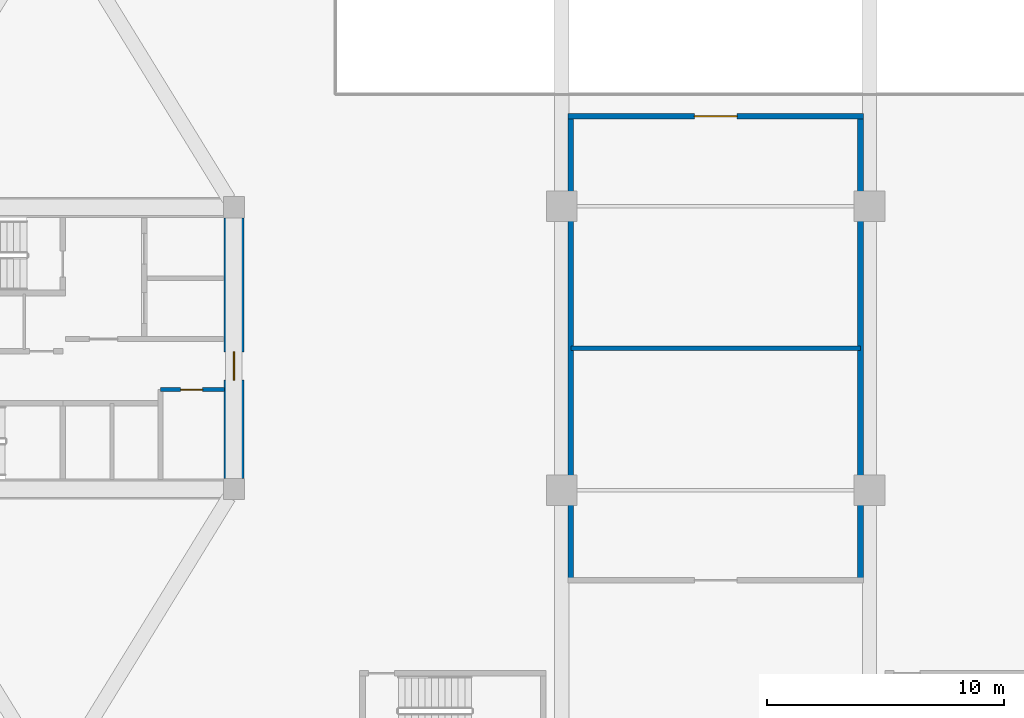
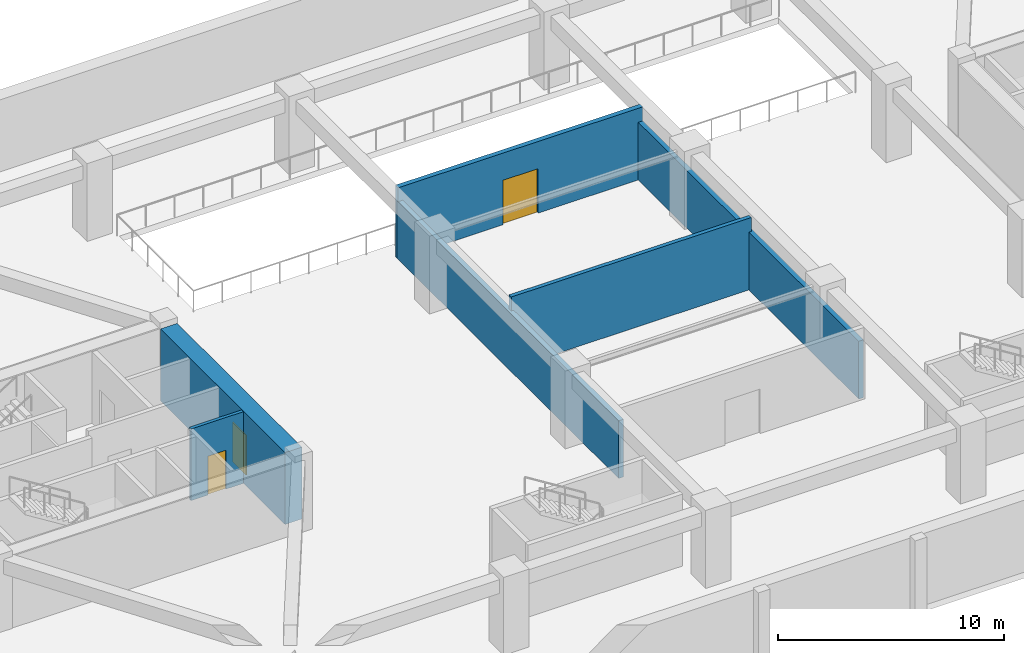
# One storey, part 5 of 14: 6 walls, 3 doors, 3 openings.
"""IFC4 building model written with IfcOpenShell, lengths in metres."""

import ifcopenshell
import ifcopenshell.guid

model = None  # the IFC model being written
_history = None  # IfcOwnerHistory: only IFC2X3 demands one
_inside = {}  # id of a spatial element -> (the spatial element, [elements in it])
_under = {}  # id of a project, library or spatial element -> (it, [spatial elements below it])
_declared = {}  # id of a project -> (the project, [libraries it declares])
_typed = {}  # id of a type object -> (the type object, [elements of that type])
_made_of = {}  # id of a material, layer set ... -> (it, [elements and type objects made of it])


def new_model(schema):
    """Start an empty IFC model of exactly this schema.

    Asked for "IFC4X3", IfcOpenShell would pick the latest addendum, in which some entities
    have other attributes; the version numbers below select the first issue.
    IFC2X3 requires an IfcOwnerHistory on every rooted entity: one is made here for all.
    """
    global model, _history
    if schema == "IFC4X3":
        model = ifcopenshell.file(schema_version=(4, 3, 0, 0))
    else:
        model = ifcopenshell.file(schema=schema)
    _inside.clear()
    _under.clear()
    _declared.clear()
    _typed.clear()
    _made_of.clear()
    _history = None
    if model.schema == "IFC2X3":
        org = make("IfcOrganization", Name="unknown")
        user = make(
            "IfcPersonAndOrganization",
            ThePerson=make("IfcPerson", FamilyName="unknown"),
            TheOrganization=org,
        )
        app = make(
            "IfcApplication",
            ApplicationDeveloper=org,
            Version="unknown",
            ApplicationFullName="unknown",
            ApplicationIdentifier="unknown",
        )
        _history = make(
            "IfcOwnerHistory",
            OwningUser=user,
            OwningApplication=app,
            ChangeAction="ADDED",
            CreationDate=0,
        )
    return model


def make(cls, **values):
    """One entity of the class cls with the attributes given. An attribute that is None is left unset."""
    return model.create_entity(
        cls, **{name: value for name, value in values.items() if value is not None}
    )


def rooted(cls, **values):
    """An entity with a GlobalId (a new one), such as an element, a storey or a relation."""
    return make(cls, GlobalId=ifcopenshell.guid.new(), OwnerHistory=_history, **values)


def si_unit(unit_type, name, prefix=None):
    """IfcSIUnit, for example si_unit("LENGTHUNIT", "METRE", prefix="MILLI")."""
    return make("IfcSIUnit", UnitType=unit_type, Prefix=prefix, Name=name)


def assignment(units):
    """IfcUnitAssignment: the units of a project."""
    return None if units is None else make("IfcUnitAssignment", Units=units)


def point(xyz):
    """IfcCartesianPoint."""
    return None if xyz is None else make("IfcCartesianPoint", Coordinates=xyz)


def direction(xyz):
    """IfcDirection."""
    return None if xyz is None else make("IfcDirection", DirectionRatios=xyz)


def frame(location, z_axis=None, x_axis=None):
    """IfcAxis2Placement3D, a coordinate frame: its origin and axes. An axis left out is left unset."""
    return make(
        "IfcAxis2Placement3D",
        Location=point(location),
        Axis=direction(z_axis),
        RefDirection=direction(x_axis),
    )


def frame_2d(location, x_axis=None):
    """IfcAxis2Placement2D, a coordinate frame in the plane: its origin and x axis."""
    return make(
        "IfcAxis2Placement2D", Location=point(location), RefDirection=direction(x_axis)
    )


def origin():
    """The frame at (0, 0, 0) with its axes left unset."""
    return frame((0.0, 0.0, 0.0))


def place(relative_to, where):
    """IfcLocalPlacement: puts the frame where relative to a parent placement (None: the world)."""
    return make(
        "IfcLocalPlacement", PlacementRelTo=relative_to, RelativePlacement=where
    )


def context(
    kind, dimensions, precision=None, world=None, true_north=None, identifier=None
):
    """IfcGeometricRepresentationContext, for example the 3D "Model" context."""
    return make(
        "IfcGeometricRepresentationContext",
        ContextIdentifier=identifier,
        ContextType=kind,
        CoordinateSpaceDimension=dimensions,
        Precision=precision,
        WorldCoordinateSystem=world,
        TrueNorth=true_north,
    )


def subcontext(parent, identifier, kind, view, scale=None):
    """IfcGeometricRepresentationSubContext, for example "Body" below "Model"."""
    return make(
        "IfcGeometricRepresentationSubContext",
        ContextIdentifier=identifier,
        ContextType=kind,
        ParentContext=parent,
        TargetScale=scale,
        TargetView=view,
    )


def project(units=None, contexts=None):
    """IfcProject with its units and contexts."""
    return rooted(
        "IfcProject",
        Name="project",
        RepresentationContexts=contexts,
        UnitsInContext=assignment(units),
    )


def spatial(cls, under=None, at=None, **own):
    """A site, building, storey or space (cls), placed at a placement, below another one or the project."""
    s = rooted(cls, ObjectPlacement=at, **own)
    if under is not None:
        _under.setdefault(under.id(), (under, []))[1].append(s)
    return s


def profile(cls, at=None, kind="AREA", **sizes):
    """A parametric profile (cls). Its sizes go by their IFC names, for example OverallWidth=200.0."""
    return make(cls, ProfileType=kind, Position=at, **sizes)


def rectangle(**sizes):
    """IfcRectangleProfileDef."""
    return profile("IfcRectangleProfileDef", **sizes)


def extrude(swept, where, along, depth):
    """IfcExtrudedAreaSolid: the profile swept, set in the frame where, extruded along a direction by depth."""
    return make(
        "IfcExtrudedAreaSolid",
        SweptArea=swept,
        Position=where,
        ExtrudedDirection=direction(along),
        Depth=depth,
    )


def shape(context_of_items, identifier, shape_type, items):
    """IfcShapeRepresentation: the items that make up one representation, for example the "Body"."""
    return make(
        "IfcShapeRepresentation",
        ContextOfItems=context_of_items,
        RepresentationIdentifier=identifier,
        RepresentationType=shape_type,
        Items=items,
    )


def source(mapping_origin, context_of_items, identifier, shape_type, items):
    """IfcRepresentationMap: a shape defined once, which mapped items show again and again."""
    return make(
        "IfcRepresentationMap",
        MappingOrigin=mapping_origin,
        MappedRepresentation=shape(context_of_items, identifier, shape_type, items),
    )


def transform(
    local_origin,
    x_axis=None,
    y_axis=None,
    z_axis=None,
    scale=None,
    scale2=None,
    scale3=None,
    uniform=True,
):
    """IfcCartesianTransformationOperator3D, or its non-uniform kind. x_axis, y_axis, z_axis: its Axis1, 2, 3."""
    if uniform:
        return make(
            "IfcCartesianTransformationOperator3D",
            Axis1=direction(x_axis),
            Axis2=direction(y_axis),
            LocalOrigin=point(local_origin),
            Scale=scale,
            Axis3=direction(z_axis),
        )
    return make(
        "IfcCartesianTransformationOperator3DnonUniform",
        Axis1=direction(x_axis),
        Axis2=direction(y_axis),
        LocalOrigin=point(local_origin),
        Scale=scale,
        Axis3=direction(z_axis),
        Scale2=scale2,
        Scale3=scale3,
    )


def mapped(mapping_source, mapping_target):
    """IfcMappedItem: shows the shape of a source again, moved by a transform."""
    return make(
        "IfcMappedItem", MappingSource=mapping_source, MappingTarget=mapping_target
    )


def material(Name=None, Category=None):
    """IfcMaterial."""
    return make("IfcMaterial", Name=Name, Category=Category)


def layer(
    of_material, thickness, ventilated=None, Name=None, Category=None, Priority=None
):
    """IfcMaterialLayer: one layer of a wall or slab, of a material (None: an air gap)."""
    return make(
        "IfcMaterialLayer",
        Material=of_material,
        LayerThickness=thickness,
        IsVentilated=ventilated,
        Name=Name,
        Category=Category,
        Priority=Priority,
    )


def layer_set(layers, Name=None):
    """IfcMaterialLayerSet."""
    return make("IfcMaterialLayerSet", MaterialLayers=layers, LayerSetName=Name)


def made_of(thing, what):
    """Note that an element or type object is made of a material, layer set ...; save() writes the relation."""
    if what is not None:
        _made_of.setdefault(what.id(), (what, []))[1].append(thing)
    return thing


def type_object(cls, material=None, **own):
    """A type object (cls), such as IfcWallType, which elements share."""
    return made_of(rooted(cls, **own), material)


def type_shapes(of_type, sources):
    """Give a type object the sources (RepresentationMaps) that its elements show as mapped items."""
    of_type.RepresentationMaps = sources


def element(
    cls,
    number,
    at=None,
    inside=None,
    cuts=None,
    type_object=None,
    material=None,
    context=None,
    identifier="Body",
    shape_type=None,
    held_by="IfcProductDefinitionShape",
    body=None,
    shapes=None,
    **own,
):
    """One element of the class cls, such as IfcWall. Its Tag is "e" and its number.

    at: its placement. inside: the storey or other place that contains it. cuts: it is an
    opening in that element (IfcRelVoidsElement). A single representation is given by context,
    identifier, shape_type and body (its items); several are given by shapes. held_by: the class
    of the entity that holds the representations. save() writes the other relations.
    """
    e = rooted(cls, Tag="e%d" % number, ObjectPlacement=at, **own)
    if body is not None:
        shapes = [shape(context, identifier, shape_type, body)]
    if shapes is not None:
        e.Representation = make(held_by, Representations=shapes)
    if inside is not None:
        _inside.setdefault(inside.id(), (inside, []))[1].append(e)
    if cuts is not None:
        rooted(
            "IfcRelVoidsElement", RelatingBuildingElement=cuts, RelatedOpeningElement=e
        )
    if type_object is not None:
        _typed.setdefault(type_object.id(), (type_object, []))[1].append(e)
    return made_of(e, material)


def fill(opening, filler):
    """IfcRelFillsElement: the door or window that sits in an opening."""
    return rooted(
        "IfcRelFillsElement",
        RelatingOpeningElement=opening,
        RelatedBuildingElement=filler,
    )


def aggregate(whole, parts):
    """IfcRelAggregates: a whole, such as a stair, and the parts it consists of."""
    return rooted("IfcRelAggregates", RelatingObject=whole, RelatedObjects=parts)


def save(model, path):
    """Write the relations noted so far, then the file.

    IfcRelAggregates (storeys below a building ...), IfcRelContainedInSpatialStructure (elements
    in a storey), IfcRelDefinesByType, IfcRelAssociatesMaterial and IfcRelDeclares: one each for
    every whole, place, type object, material and project.
    """
    for whole, parts in _under.values():
        aggregate(whole, parts)
    for where, things in _inside.values():
        rooted(
            "IfcRelContainedInSpatialStructure",
            RelatedElements=things,
            RelatingStructure=where,
        )
    for kind, things in _typed.values():
        rooted("IfcRelDefinesByType", RelatedObjects=things, RelatingType=kind)
    for what, things in _made_of.values():
        rooted("IfcRelAssociatesMaterial", RelatedObjects=things, RelatingMaterial=what)
    for by, libraries in _declared.values():
        rooted("IfcRelDeclares", RelatingContext=by, RelatedDefinitions=libraries)
    model.write(path)


model = new_model("IFC4")

# Units and contexts
model_context = context("Model", 3, precision=1e-05, world=origin(), true_north=direction((0.0, 1.0)))
body_context = subcontext(model_context, "Body", "Model", "MODEL_VIEW")
ifc_project = project(units=[si_unit("LENGTHUNIT", "METRE"), si_unit("AREAUNIT", "SQUARE_METRE"), si_unit("VOLUMEUNIT", "CUBIC_METRE"), si_unit("PLANEANGLEUNIT", "RADIAN"), si_unit("MASSUNIT", "GRAM", prefix="KILO")], contexts=[model_context])

# Site, building, storey
site_placement = place(None, origin())
site = spatial("IfcSite", under=ifc_project, at=site_placement, CompositionType="ELEMENT")
building_placement = place(site_placement, origin())
building = spatial("IfcBuilding", under=site, at=building_placement, Name="Norrkilde Senior Care Towers", CompositionType="ELEMENT")
storey_placement = place(building_placement, frame((0.0, 0.0, -4.199951171875)))
storey = spatial("IfcBuildingStorey", under=building, at=storey_placement, Name="B1", CompositionType="ELEMENT", Elevation=-4.199951171875)

# Wall, opening, door
ifc_material_1 = material(Name="Concrete C60/75", Category="concrete")
ifc_layer_1 = layer(ifc_material_1, 0.85009765625)
ifc_layer_set_1 = layer_set([ifc_layer_1], Name="Concrete C60/75")
wall_type_1 = type_object("IfcWallType", Name="Core Shear Wall Z1 850", PredefinedType="SHEAR", material=ifc_layer_set_1)
shared_shape_1 = source(origin(), body_context, "Body", "SweptSolid", [
    extrude(rectangle(XDim=11.0, YDim=0.85009765625, at=frame_2d((5.5, 0.0))), origin(), (0.0, 0.0, 1.0), 3.8798828125),
])
type_shapes(wall_type_1, [shared_shape_1])
wall_1_placement = place(storey_placement, frame((-20.35009765625, 5.5, 0.0), z_axis=(0.0, 0.0, 1.0), x_axis=(0.0, -1.0, 0.0)))
wall_1 = element("IfcWall", 1, at=wall_1_placement, inside=storey, type_object=wall_type_1, Name="B1 Core W East Shear Wall", PredefinedType="SHEAR", context=body_context, shape_type="MappedRepresentation", body=[
    mapped(shared_shape_1, transform((0.0, 0.0, 0.0), x_axis=(1.0, 0.0, 0.0), y_axis=(0.0, 1.0, 0.0), z_axis=(0.0, 0.0, 1.0), scale=1.0)),
])
opening_1_placement = place(wall_1_placement, frame((5.64990234375, 0.0, 0.0)))
opening_1 = element("IfcOpeningElement", 2, at=opening_1_placement, cuts=wall_1, Name="Opening D-04", PredefinedType="OPENING", context=body_context, shape_type="SweptSolid", body=[
    extrude(rectangle(XDim=1.199951171875, YDim=2.14990234375, at=frame_2d((0.60009765625, 1.074951171875))), frame((0.0, 0.43505859375, 0.0), z_axis=(0.0, -1.0, 0.0), x_axis=(1.0, 0.0, 0.0)), (0.0, 0.0, 1.0), 0.8701171875),
])
ifc_material_2 = material(Name="Galvanised Painted Steel", Category="steel")
door_type_1 = type_object("IfcDoorType", Name="Firefighting Lobby Fire Door 1200x2150", OperationType="NOTDEFINED", PredefinedType="DOOR", material=ifc_material_2)
shared_shape_2 = source(origin(), body_context, "Body", "SweptSolid", [
    extrude(rectangle(XDim=1.199951171875, YDim=2.14990234375, at=frame_2d((0.60009765625, 1.074951171875))), frame((0.0, 0.02490234375, 0.0), z_axis=(0.0, -1.0, 0.0), x_axis=(1.0, 0.0, 0.0)), (0.0, 0.0, 1.0), 0.050048828125),
])
type_shapes(door_type_1, [shared_shape_2])
door_1_placement = place(opening_1_placement, frame((1.199951171875, 0.0, 0.0), z_axis=(0.0, 0.0, 1.0), x_axis=(-1.0, 0.0, 0.0)))
door_1 = element("IfcDoor", 3, at=door_1_placement, inside=storey, type_object=door_type_1, Name="B1 Core W East Portal Door", OperationType="SINGLE_SWING_RIGHT", OverallHeight=2.14990234375, OverallWidth=1.199951171875, PredefinedType="DOOR", context=body_context, shape_type="MappedRepresentation", body=[
    mapped(shared_shape_2, transform((0.0, 0.0, 0.0), x_axis=(1.0, 0.0, 0.0), y_axis=(0.0, 1.0, 0.0), z_axis=(0.0, 0.0, 1.0), scale=1.0)),
])
fill(opening_1, door_1)

ifc_material_3 = material(Name="Gypsum Acoustic Board")
ifc_layer_2 = layer(ifc_material_3, 0.1650390625)
ifc_layer_set_2 = layer_set([ifc_layer_2], Name="Gypsum Acoustic Board")
wall_type_2 = type_object("IfcWallType", Name="Corridor Rated Partition 165", PredefinedType="PARTITIONING", material=ifc_layer_set_2)
shared_shape_3 = source(origin(), body_context, "Body", "SweptSolid", [
    extrude(rectangle(XDim=2.699951171875, YDim=0.1650390625, at=frame_2d((1.35009765625, 0.0))), origin(), (0.0, 0.0, 1.0), 3.864990234375),
])
type_shapes(wall_type_2, [shared_shape_3])
wall_2_placement = place(storey_placement, frame((-23.449951171875, -1.75, 0.0), z_axis=(0.0, 0.0, 1.0), x_axis=(1.0, 0.0, 0.0)))
wall_2 = element("IfcWall", 4, at=wall_2_placement, inside=storey, type_object=wall_type_2, Name="WL-INT-B1-W-CSN", PredefinedType="PARTITIONING", context=body_context, shape_type="MappedRepresentation", body=[
    mapped(shared_shape_3, transform((0.0, 0.0, 0.0), x_axis=(1.0, 0.0, 0.0), y_axis=(0.0, 1.0, 0.0), z_axis=(0.0, 0.0, 1.0), scale=1.0)),
])
opening_2_placement = place(wall_2_placement, frame((0.85009765625, 0.0, 0.0)))
opening_2 = element("IfcOpeningElement", 5, at=opening_2_placement, cuts=wall_2, Name="Opening D-12", PredefinedType="OPENING", context=body_context, shape_type="SweptSolid", body=[
    extrude(rectangle(XDim=0.925048828125, YDim=2.10009765625, at=frame_2d((0.46240234375, 1.050048828125))), frame((0.0, 0.092529296875, 0.0), z_axis=(0.0, -1.0, 0.0), x_axis=(1.0, 0.0, 0.0)), (0.0, 0.0, 1.0), 0.18505859375),
])
door_type_2 = type_object("IfcDoorType", Name="Core Wet Room Rated Door 925x2100", OperationType="NOTDEFINED", PredefinedType="DOOR", material=ifc_material_2)
shared_shape_4 = source(origin(), body_context, "Body", "SweptSolid", [
    extrude(rectangle(XDim=0.925048828125, YDim=2.10009765625, at=frame_2d((0.46240234375, 1.050048828125))), frame((0.0, 0.02490234375, 0.0), z_axis=(0.0, -1.0, 0.0), x_axis=(1.0, 0.0, 0.0)), (0.0, 0.0, 1.0), 0.050048828125),
])
type_shapes(door_type_2, [shared_shape_4])
door_2_placement = place(opening_2_placement, origin())
door_2 = element("IfcDoor", 6, at=door_2_placement, inside=storey, type_object=door_type_2, Name="B1 Core Utility W Door", OperationType="SINGLE_SWING_LEFT", OverallHeight=2.10009765625, OverallWidth=0.925048828125, PredefinedType="DOOR", context=body_context, shape_type="MappedRepresentation", body=[
    mapped(shared_shape_4, transform((0.0, 0.0, 0.0), x_axis=(1.0, 0.0, 0.0), y_axis=(0.0, 1.0, 0.0), z_axis=(0.0, 0.0, 1.0), scale=1.0)),
])
fill(opening_2, door_2)

# Walls
ifc_material_4 = material(Name="Concrete C45/55", Category="concrete")
ifc_layer_3 = layer(ifc_material_4, 0.239990234375)
ifc_layer_set_3 = layer_set([ifc_layer_3], Name="Concrete C45/55")
wall_type_3 = type_object("IfcWallType", Name="Lift and Plant Rated Enclosure Partition 240", PredefinedType="PARTITIONING", material=ifc_layer_set_3)
shared_shape_5 = source(origin(), body_context, "Body", "SweptSolid", [
    extrude(rectangle(XDim=19.60009765625, YDim=0.239990234375, at=frame_2d((9.800048828125, 0.0))), origin(), (0.0, 0.0, 1.0), 3.114990234375),
])
for number, where, z_axis, x_axis, name in (
    (7, (-6.1201171875, -9.800048828125, 0.0), (0.0, 0.0, 1.0), (0.0, 1.0, 0.0), "WL-INT-B1-CPW"),
    (8, (6.1201171875, -9.800048828125, 0.0), (0.0, 0.0, 1.0), (0.0, 1.0, 0.0), "WL-INT-B1-CPE"),
):
    element("IfcWall", number, at=place(storey_placement, frame(where, z_axis=z_axis, x_axis=x_axis)), inside=storey, type_object=wall_type_3, Name=name, PredefinedType="PARTITIONING", context=body_context, shape_type="MappedRepresentation", body=[
        mapped(shared_shape_5, transform((0.0, 0.0, 0.0), x_axis=(1.0, 0.0, 0.0), y_axis=(0.0, 1.0, 0.0), z_axis=(0.0, 0.0, 1.0), scale=1.0)),
    ])

# Wall, opening, door
shared_shape_6 = source(origin(), body_context, "Body", "SweptSolid", [
    extrude(rectangle(XDim=12.47998046875, YDim=0.239990234375, at=frame_2d((6.239990234375, 0.0))), origin(), (0.0, 0.0, 1.0), 3.864990234375),
])
type_shapes(wall_type_3, [shared_shape_5, shared_shape_6])
wall_3_placement = place(storey_placement, frame((-6.239990234375, 9.800048828125, 0.0), z_axis=(0.0, 0.0, 1.0), x_axis=(1.0, 0.0, 0.0)))
wall_3 = element("IfcWall", 9, at=wall_3_placement, inside=storey, type_object=wall_type_3, Name="WL-INT-B1-CPN", PredefinedType="PARTITIONING", context=body_context, shape_type="MappedRepresentation", body=[
    mapped(shared_shape_6, transform((0.0, 0.0, 0.0), x_axis=(1.0, 0.0, 0.0), y_axis=(0.0, 1.0, 0.0), z_axis=(0.0, 0.0, 1.0), scale=1.0)),
])
opening_3_placement = place(wall_3_placement, frame((5.340087890625, 0.0, 0.0)))
opening_3 = element("IfcOpeningElement", 10, at=opening_3_placement, cuts=wall_3, Name="Opening D-11", PredefinedType="OPENING", context=body_context, shape_type="SweptSolid", body=[
    extrude(rectangle(XDim=1.800048828125, YDim=2.39990234375, at=frame_2d((0.89990234375, 1.199951171875))), frame((0.0, 0.1298828125, 0.0), z_axis=(0.0, -1.0, 0.0), x_axis=(1.0, 0.0, 0.0)), (0.0, 0.0, 1.0), 0.260009765625),
])
door_type_3 = type_object("IfcDoorType", Name="Double Plant Equipment Door 1800x2400", OperationType="NOTDEFINED", PredefinedType="DOOR", material=ifc_material_2)
shared_shape_7 = source(origin(), body_context, "Body", "SweptSolid", [
    extrude(rectangle(XDim=1.800048828125, YDim=2.39990234375, at=frame_2d((0.89990234375, 1.199951171875))), frame((0.0, 0.02490234375, 0.0), z_axis=(0.0, -1.0, 0.0), x_axis=(1.0, 0.0, 0.0)), (0.0, 0.0, 1.0), 0.050048828125),
])
type_shapes(door_type_3, [shared_shape_7])
door_3_placement = place(opening_3_placement, frame((1.800048828125, 0.0, 0.0), z_axis=(0.0, 0.0, 1.0), x_axis=(-1.0, 0.0, 0.0)))
door_3 = element("IfcDoor", 11, at=door_3_placement, inside=storey, type_object=door_type_3, Name="B1 Plant Room 2 Door", OperationType="DOUBLE_DOOR_SINGLE_SWING", OverallHeight=2.39990234375, OverallWidth=1.800048828125, PredefinedType="DOOR", context=body_context, shape_type="MappedRepresentation", body=[
    mapped(shared_shape_7, transform((0.0, 0.0, 0.0), x_axis=(1.0, 0.0, 0.0), y_axis=(0.0, 1.0, 0.0), z_axis=(0.0, 0.0, 1.0), scale=1.0)),
])
fill(opening_3, door_3)

# Wall
ifc_layer_4 = layer(ifc_material_4, 0.199951171875)
ifc_layer_set_4 = layer_set([ifc_layer_4], Name="Concrete C45/55")
wall_type_4 = type_object("IfcWallType", Name="Shaft Division and Plant Partition 200", PredefinedType="PARTITIONING", material=ifc_layer_set_4)
shared_shape_8 = source(origin(), body_context, "Body", "SweptSolid", [
    extrude(rectangle(XDim=12.240234375, YDim=0.199951171875, at=frame_2d((6.1201171875, 0.0))), origin(), (0.0, 0.0, 1.0), 3.864990234375),
])
type_shapes(wall_type_4, [shared_shape_8])
wall_4_placement = place(storey_placement, frame((-6.1201171875, 0.0, 0.0), z_axis=(0.0, 0.0, 1.0), x_axis=(1.0, 0.0, 0.0)))
element("IfcWall", 12, at=wall_4_placement, inside=storey, type_object=wall_type_4, Name="WL-INT-B1-CPM", PredefinedType="PARTITIONING", context=body_context, shape_type="MappedRepresentation", body=[
    mapped(shared_shape_8, transform((0.0, 0.0, 0.0), x_axis=(1.0, 0.0, 0.0), y_axis=(0.0, 1.0, 0.0), z_axis=(0.0, 0.0, 1.0), scale=1.0)),
])

save(model, "model.ifc")
